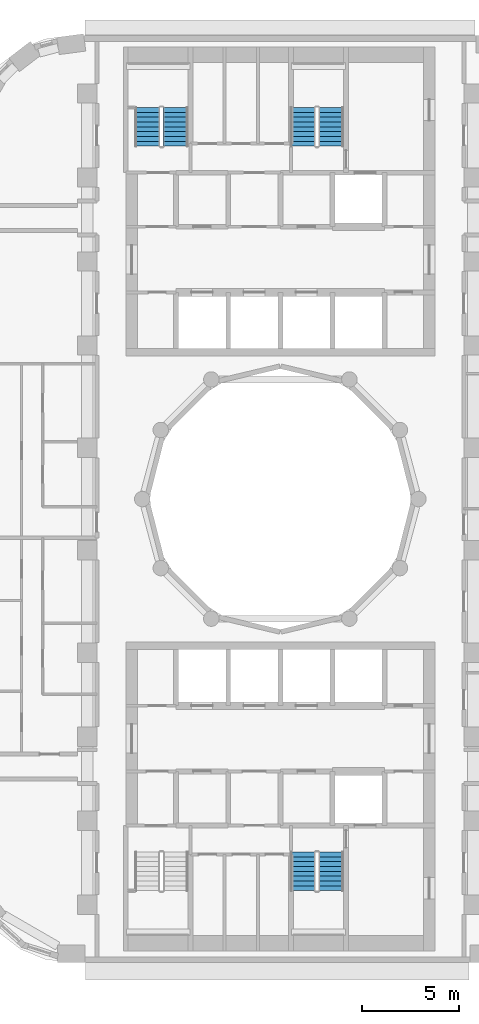
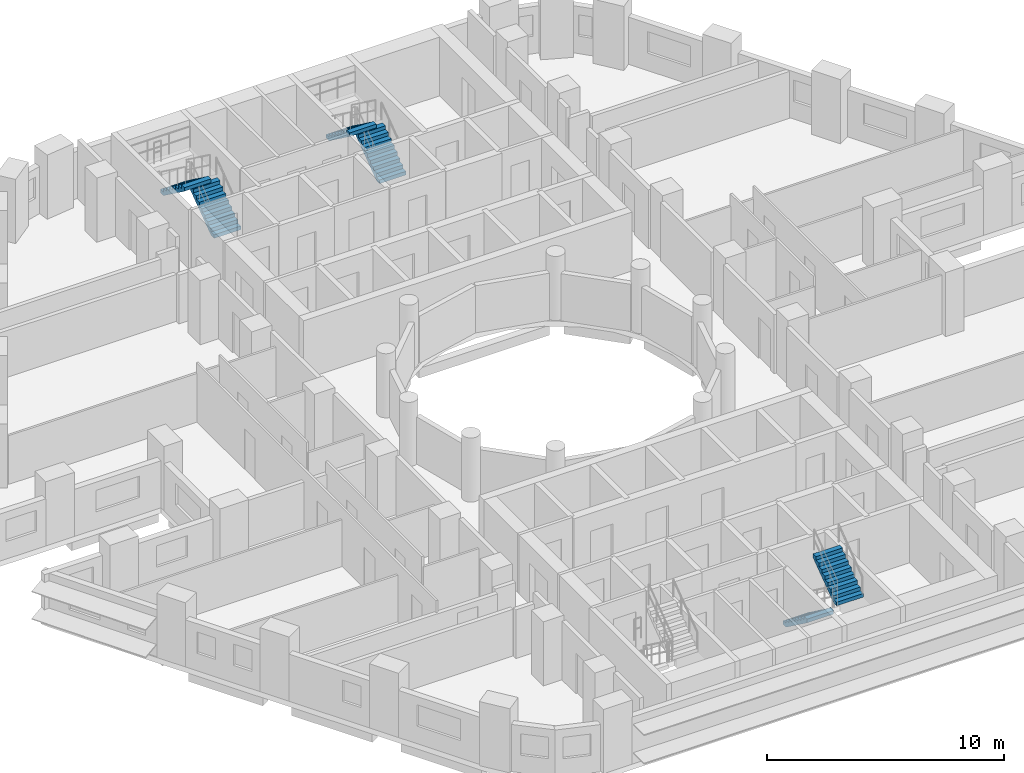
# One storey, part 9 of 12: 6 stair flights, 3 elements without a shape of their own.
"""IFC4 building model written with IfcOpenShell, lengths in metres."""

from ifc_helpers import new_model, si_unit, direction, frame, origin, place, context, subcontext, project, spatial, polyline, outline, extrude, material, type_object, element, aggregate, save


model = new_model("IFC4")

# Units and contexts
model_context = context("Model", 3, precision=1e-05, world=origin(), true_north=direction((0.0, 1.0)))
body_context = subcontext(model_context, "Body", "Model", "MODEL_VIEW")
ifc_project = project(units=[si_unit("LENGTHUNIT", "METRE"), si_unit("AREAUNIT", "SQUARE_METRE"), si_unit("VOLUMEUNIT", "CUBIC_METRE"), si_unit("PLANEANGLEUNIT", "RADIAN"), si_unit("MASSUNIT", "GRAM", prefix="KILO")], contexts=[model_context])

# Site, building, storey
site_placement = place(None, origin())
site = spatial("IfcSite", under=ifc_project, at=site_placement, CompositionType="ELEMENT")
building_placement = place(site_placement, origin())
building = spatial("IfcBuilding", under=site, at=building_placement, Name="Nakaniwa Court", CompositionType="ELEMENT")
storey_placement = place(building_placement, frame((0.0, 0.0, 104.10009765625)))
storey = spatial("IfcBuildingStorey", under=building, at=storey_placement, Name="L27", CompositionType="ELEMENT", Elevation=104.10009765625)

# Stair, stair flights
ifc_material = material(Name="Concrete C80/100", Category="concrete")
stair_type = type_object("IfcStairType", Name="Dog leg stair 1300 wide 18 risers", PredefinedType="HALF_TURN_STAIR", material=ifc_material)
stair_1_placement = place(storey_placement, origin())
stair_1 = element("IfcStair", 1, at=stair_1_placement, inside=storey, type_object=stair_type, Name="L27 Stair ST1", PredefinedType="HALF_TURN_STAIR")
stair_flight_type = type_object("IfcStairFlightType", Name="Stair flight 1300 wide 9 risers", PredefinedType="STRAIGHT", material=ifc_material)
stair_flight_1_placement = place(storey_placement, frame((74.574951171875, 98.27490234375, 0.0), z_axis=(0.0, 0.0, 1.0), x_axis=(0.0, 1.0, 0.0)))
stair_flight_1 = element("IfcStairFlight", 2, at=stair_flight_1_placement, type_object=stair_flight_type, Name="ST1 flight 1", NumberOfRisers=9, NumberOfTreads=8, PredefinedType="STRAIGHT", RiserHeight=0.183333333, TreadLength=0.25, context=body_context, shape_type="SweptSolid", body=[
    extrude(outline(polyline([(0.0, 0.0), (0.0, 0.026123046875), (0.0, 0.052490234375), (0.0, 0.07861328125), (0.0, 0.104736328125), (0.0, 0.130859375), (0.0, 0.1572265625), (0.0, 0.183349609375), (0.25, 0.183349609375), (0.25, 0.36669921875), (0.5, 0.36669921875), (0.5, 0.550048828125), (0.75, 0.550048828125), (0.75, 0.7333984375), (1.0, 0.7333984375), (1.0, 0.916748046875), (1.25, 0.916748046875), (1.25, 1.10009765625), (1.5, 1.10009765625), (1.5, 1.283447265625), (1.75, 1.283447265625), (1.75, 1.466552734375), (2.0, 1.466552734375), (2.0, 1.64990234375), (2.0, 1.59716796875), (2.0, 1.54443359375), (2.0, 1.49169921875), (2.0, 1.43896484375), (2.0, 1.38623046875), (2.0, 1.33349609375), (2.0, 1.28076171875), (0.25341796875, 0.0), (0.0, 0.0)])), frame((0.0, 0.64990234375, 0.0), z_axis=(0.0, -1.0, 0.0), x_axis=(1.0, 0.0, 0.0)), (0.0, 0.0, 1.0), 1.300048828125),
])
stair_flight_2_placement = place(storey_placement, frame((73.125, 100.27490234375, 1.64990234375), z_axis=(0.0, 0.0, 1.0), x_axis=(0.0, -1.0, 0.0)))
stair_flight_2 = element("IfcStairFlight", 3, at=stair_flight_2_placement, type_object=stair_flight_type, Name="ST1 flight 2", NumberOfRisers=9, NumberOfTreads=8, PredefinedType="STRAIGHT", RiserHeight=0.183333333, TreadLength=0.25, context=body_context, shape_type="SweptSolid", body=[
    extrude(outline(polyline([(0.0, 0.0), (0.0, 0.026123046875), (0.0, 0.052490234375), (0.0, 0.07861328125), (0.0, 0.104736328125), (0.0, 0.130859375), (0.0, 0.1572265625), (0.0, 0.183349609375), (0.25, 0.183349609375), (0.25, 0.36669921875), (0.5, 0.36669921875), (0.5, 0.550048828125), (0.75, 0.550048828125), (0.75, 0.7333984375), (1.0, 0.7333984375), (1.0, 0.916748046875), (1.25, 0.916748046875), (1.25, 1.10009765625), (1.5, 1.10009765625), (1.5, 1.283447265625), (1.75, 1.283447265625), (1.75, 1.466552734375), (2.0, 1.466552734375), (2.0, 1.64990234375), (2.0, 1.59716796875), (2.0, 1.54443359375), (2.0, 1.49169921875), (2.0, 1.43896484375), (2.0, 1.38623046875), (2.0, 1.33349609375), (2.0, 1.28076171875), (0.25341796875, 0.0), (0.0, 0.0)])), frame((0.0, 0.64990234375, 0.0), z_axis=(0.0, -1.0, 0.0), x_axis=(1.0, 0.0, 0.0)), (0.0, 0.0, 1.0), 1.300048828125),
])
aggregate(stair_1, [stair_flight_1, stair_flight_2])

stair_2_placement = place(storey_placement, origin())
stair_2 = element("IfcStair", 4, at=stair_2_placement, inside=storey, type_object=stair_type, Name="L27 Stair ST2", PredefinedType="HALF_TURN_STAIR")
stair_flight_3_placement = place(storey_placement, frame((82.625, 98.27490234375, 0.0), z_axis=(0.0, 0.0, 1.0), x_axis=(0.0, 1.0, 0.0)))
stair_flight_3 = element("IfcStairFlight", 5, at=stair_flight_3_placement, type_object=stair_flight_type, Name="ST2 flight 1", NumberOfRisers=9, NumberOfTreads=8, PredefinedType="STRAIGHT", RiserHeight=0.183333333, TreadLength=0.25, context=body_context, shape_type="SweptSolid", body=[
    extrude(outline(polyline([(0.0, 0.0), (0.0, 0.026123046875), (0.0, 0.052490234375), (0.0, 0.07861328125), (0.0, 0.104736328125), (0.0, 0.130859375), (0.0, 0.1572265625), (0.0, 0.183349609375), (0.25, 0.183349609375), (0.25, 0.36669921875), (0.5, 0.36669921875), (0.5, 0.550048828125), (0.75, 0.550048828125), (0.75, 0.7333984375), (1.0, 0.7333984375), (1.0, 0.916748046875), (1.25, 0.916748046875), (1.25, 1.10009765625), (1.5, 1.10009765625), (1.5, 1.283447265625), (1.75, 1.283447265625), (1.75, 1.466552734375), (2.0, 1.466552734375), (2.0, 1.64990234375), (2.0, 1.59716796875), (2.0, 1.54443359375), (2.0, 1.49169921875), (2.0, 1.43896484375), (2.0, 1.38623046875), (2.0, 1.33349609375), (2.0, 1.28076171875), (0.25341796875, 0.0), (0.0, 0.0)])), frame((0.0, 0.64990234375, 0.0), z_axis=(0.0, -1.0, 0.0), x_axis=(1.0, 0.0, 0.0)), (0.0, 0.0, 1.0), 1.300048828125),
])
stair_flight_4_placement = place(storey_placement, frame((81.175048828125, 100.27490234375, 1.64990234375), z_axis=(0.0, 0.0, 1.0), x_axis=(0.0, -1.0, 0.0)))
stair_flight_4 = element("IfcStairFlight", 6, at=stair_flight_4_placement, type_object=stair_flight_type, Name="ST2 flight 2", NumberOfRisers=9, NumberOfTreads=8, PredefinedType="STRAIGHT", RiserHeight=0.183333333, TreadLength=0.25, context=body_context, shape_type="SweptSolid", body=[
    extrude(outline(polyline([(0.0, 0.0), (0.0, 0.026123046875), (0.0, 0.052490234375), (0.0, 0.07861328125), (0.0, 0.104736328125), (0.0, 0.130859375), (0.0, 0.1572265625), (0.0, 0.183349609375), (0.25, 0.183349609375), (0.25, 0.36669921875), (0.5, 0.36669921875), (0.5, 0.550048828125), (0.75, 0.550048828125), (0.75, 0.7333984375), (1.0, 0.7333984375), (1.0, 0.916748046875), (1.25, 0.916748046875), (1.25, 1.10009765625), (1.5, 1.10009765625), (1.5, 1.283447265625), (1.75, 1.283447265625), (1.75, 1.466552734375), (2.0, 1.466552734375), (2.0, 1.64990234375), (2.0, 1.59716796875), (2.0, 1.54443359375), (2.0, 1.49169921875), (2.0, 1.43896484375), (2.0, 1.38623046875), (2.0, 1.33349609375), (2.0, 1.28076171875), (0.25341796875, 0.0), (0.0, 0.0)])), frame((0.0, 0.64990234375, 0.0), z_axis=(0.0, -1.0, 0.0), x_axis=(1.0, 0.0, 0.0)), (0.0, 0.0, 1.0), 1.300048828125),
])
aggregate(stair_2, [stair_flight_3, stair_flight_4])

stair_3_placement = place(storey_placement, origin())
stair_3 = element("IfcStair", 7, at=stair_3_placement, inside=storey, type_object=stair_type, Name="L27 Stair ST4", PredefinedType="HALF_TURN_STAIR")
stair_flight_5_placement = place(storey_placement, frame((81.175048828125, 61.72509765625, 0.0), z_axis=(0.0, 0.0, 1.0), x_axis=(0.0, -1.0, 0.0)))
stair_flight_5 = element("IfcStairFlight", 8, at=stair_flight_5_placement, type_object=stair_flight_type, Name="ST4 flight 1", NumberOfRisers=9, NumberOfTreads=8, PredefinedType="STRAIGHT", RiserHeight=0.183333333, TreadLength=0.25, context=body_context, shape_type="SweptSolid", body=[
    extrude(outline(polyline([(0.0, 0.0), (0.0, 0.026123046875), (0.0, 0.052490234375), (0.0, 0.07861328125), (0.0, 0.104736328125), (0.0, 0.130859375), (0.0, 0.1572265625), (0.0, 0.183349609375), (0.25, 0.183349609375), (0.25, 0.36669921875), (0.5, 0.36669921875), (0.5, 0.550048828125), (0.75, 0.550048828125), (0.75, 0.7333984375), (1.0, 0.7333984375), (1.0, 0.916748046875), (1.25, 0.916748046875), (1.25, 1.10009765625), (1.5, 1.10009765625), (1.5, 1.283447265625), (1.75, 1.283447265625), (1.75, 1.466552734375), (2.0, 1.466552734375), (2.0, 1.64990234375), (2.0, 1.59716796875), (2.0, 1.54443359375), (2.0, 1.49169921875), (2.0, 1.43896484375), (2.0, 1.38623046875), (2.0, 1.33349609375), (2.0, 1.28076171875), (0.25341796875, 0.0), (0.0, 0.0)])), frame((0.0, 0.64990234375, 0.0), z_axis=(0.0, -1.0, 0.0), x_axis=(1.0, 0.0, 0.0)), (0.0, 0.0, 1.0), 1.300048828125),
])
stair_flight_6_placement = place(storey_placement, frame((82.625, 59.72509765625, 1.64990234375), z_axis=(0.0, 0.0, 1.0), x_axis=(0.0, 1.0, 0.0)))
stair_flight_6 = element("IfcStairFlight", 9, at=stair_flight_6_placement, type_object=stair_flight_type, Name="ST4 flight 2", NumberOfRisers=9, NumberOfTreads=8, PredefinedType="STRAIGHT", RiserHeight=0.183333333, TreadLength=0.25, context=body_context, shape_type="SweptSolid", body=[
    extrude(outline(polyline([(0.0, 0.0), (0.0, 0.026123046875), (0.0, 0.052490234375), (0.0, 0.07861328125), (0.0, 0.104736328125), (0.0, 0.130859375), (0.0, 0.1572265625), (0.0, 0.183349609375), (0.25, 0.183349609375), (0.25, 0.36669921875), (0.5, 0.36669921875), (0.5, 0.550048828125), (0.75, 0.550048828125), (0.75, 0.7333984375), (1.0, 0.7333984375), (1.0, 0.916748046875), (1.25, 0.916748046875), (1.25, 1.10009765625), (1.5, 1.10009765625), (1.5, 1.283447265625), (1.75, 1.283447265625), (1.75, 1.466552734375), (2.0, 1.466552734375), (2.0, 1.64990234375), (2.0, 1.59716796875), (2.0, 1.54443359375), (2.0, 1.49169921875), (2.0, 1.43896484375), (2.0, 1.38623046875), (2.0, 1.33349609375), (2.0, 1.28076171875), (0.25341796875, 0.0), (0.0, 0.0)])), frame((0.0, 0.64990234375, 0.0), z_axis=(0.0, -1.0, 0.0), x_axis=(1.0, 0.0, 0.0)), (0.0, 0.0, 1.0), 1.300048828125),
])
aggregate(stair_3, [stair_flight_5, stair_flight_6])

save(model, "model.ifc")
